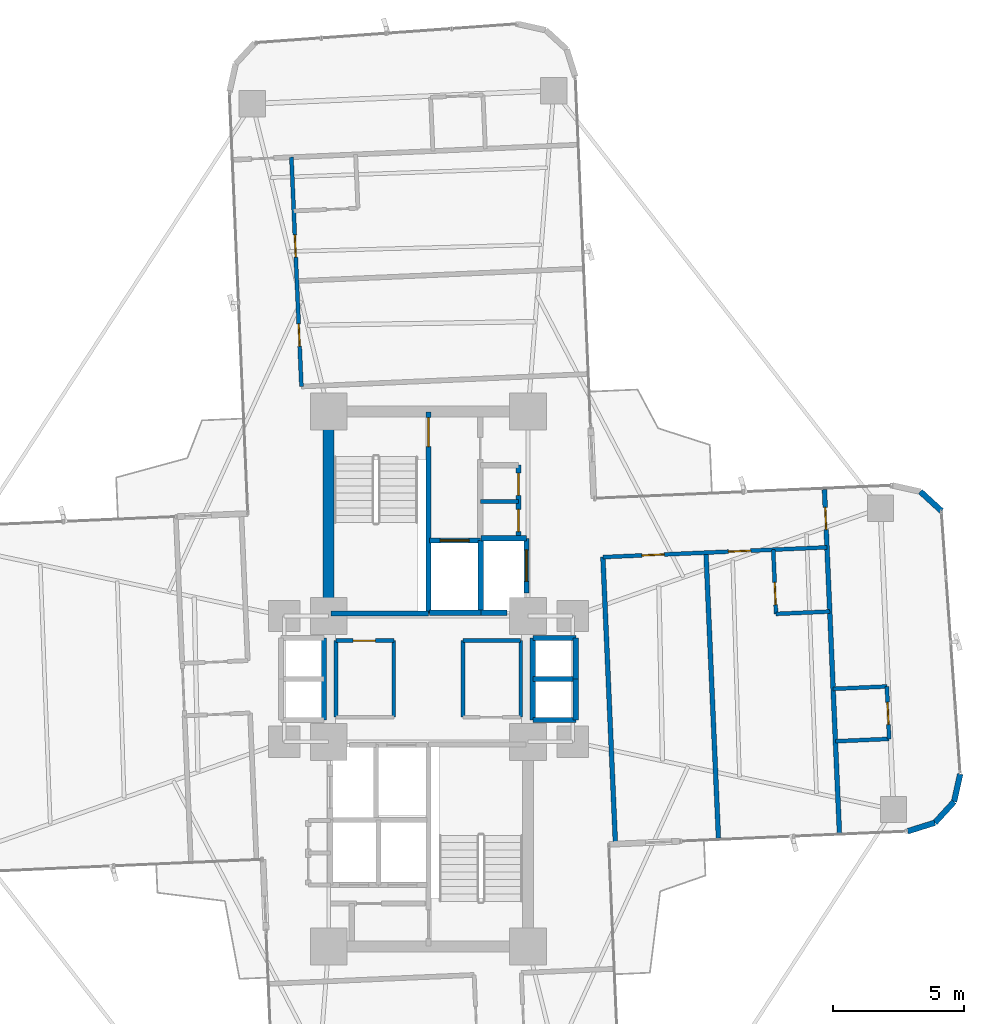
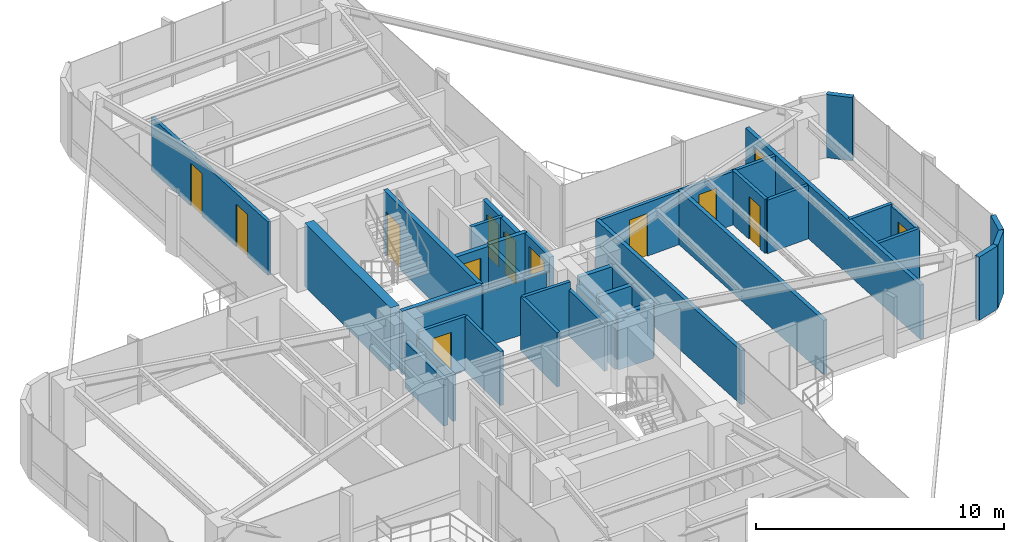
# One storey, part 24 of 26: 38 walls, 13 doors, 13 openings.
"""IFC4 building model written with IfcOpenShell, lengths in metres."""

from ifc_helpers import new_model, si_unit, direction, frame, frame_2d, origin, origin_2d, place, context, subcontext, project, spatial, rectangle, extrude, source, transform, mapped, material, layer, layer_set, type_object, element, fill, save


model = new_model("IFC4")

# Units and contexts
model_context = context("Model", 3, precision=1e-05, world=origin(), true_north=direction((0.0, 1.0)))
body_context = subcontext(model_context, "Body", "Model", "MODEL_VIEW")
ifc_project = project(units=[si_unit("LENGTHUNIT", "METRE"), si_unit("AREAUNIT", "SQUARE_METRE"), si_unit("VOLUMEUNIT", "CUBIC_METRE"), si_unit("PLANEANGLEUNIT", "RADIAN"), si_unit("MASSUNIT", "GRAM", prefix="KILO")], contexts=[model_context])

# Site, building, storey
site_placement = place(None, origin())
site = spatial("IfcSite", under=ifc_project, at=site_placement, CompositionType="ELEMENT")
building_placement = place(site_placement, origin())
building = spatial("IfcBuilding", under=site, at=building_placement, Name="Sahyath Konkavel Grand Hotel", CompositionType="ELEMENT")
storey_placement = place(building_placement, frame((0.0, 0.0, 93.550048828125)))
storey = spatial("IfcBuildingStorey", under=building, at=storey_placement, Name="L25", CompositionType="ELEMENT", Elevation=93.550048828125)

# Walls
ifc_material_1 = material(Name="Concrete C50/60", Category="concrete")
ifc_layer_1 = layer(ifc_material_1, 0.419921875)
ifc_layer_set_1 = layer_set([ifc_layer_1], Name="Concrete C50/60")
wall_type_1 = type_object("IfcWallType", Name="CWALL-420", PredefinedType="SHEAR", material=ifc_layer_set_1)
wall_1_placement = place(storey_placement, frame((-3.800048828125, 2.85009765625, 0.0), z_axis=(0.0, 0.0, 1.0), x_axis=(0.0, 1.0, 0.0)))
element("IfcWall", 1, at=wall_1_placement, inside=storey, type_object=wall_type_1, Name="L25 North Core Shear Wall W", PredefinedType="SHEAR", context=body_context, shape_type="SweptSolid", body=[
    extrude(rectangle(XDim=6.89990234375, YDim=0.419921875, at=frame_2d((3.449951171875, 0.0))), origin(), (0.0, 0.0, 1.0), 3.10986328125),
])
ifc_material_2 = material(Name="Warm Buff Sandstone Insulated Concrete C40/50", Category="masonry")
ifc_layer_2 = layer(ifc_material_2, 0.219970703125)
ifc_layer_set_2 = layer_set([ifc_layer_2], Name="Warm Buff Sandstone Insulated Concrete C40/50")
wall_type_2 = type_object("IfcWallType", Name="WLL-BALC-THRESH", PredefinedType="STANDARD", material=ifc_layer_set_2)
for number, where, z_axis, x_axis, name in (
    (2, (18.270751953125, -5.80859375, 0.0), (0.0, 0.0, 1.0), (0.953721713582, 0.30069069331, 0.0), "L25 Rounded Corner Sandstone Pier 1"),
    (3, (19.3076171875, -5.481689453125, 0.0), (0.0, 0.0, 1.0), (0.675551721847, 0.737312600672, 0.0), "L25 Rounded Corner Sandstone Pier 2"),
):
    element("IfcWall", number, at=place(storey_placement, frame(where, z_axis=z_axis, x_axis=x_axis)), inside=storey, type_object=wall_type_2, Name=name, PredefinedType="STANDARD", context=body_context, shape_type="SweptSolid", body=[
        extrude(rectangle(XDim=1.087158203125, YDim=0.219970703125, at=frame_2d((0.54345703125, 0.0))), origin(), (0.0, 0.0, 1.0), 3.10986328125),
    ])
for number, where, z_axis, x_axis, name in (
    (4, (20.0419921875, -4.68017578125, 0.0), (0.0, 0.0, 1.0), (0.216288323511, 0.976329535102, 0.0), "L25 Rounded Corner Sandstone Pier 3"),
    (5, (19.5576171875, 6.4091796875, 0.0), (0.0, 0.0, 1.0), (-0.737210081318, 0.675663596772, 0.0), "L25 Rounded Corner Sandstone Pier 5"),
):
    element("IfcWall", number, at=place(storey_placement, frame(where, z_axis=z_axis, x_axis=x_axis)), inside=storey, type_object=wall_type_2, Name=name, PredefinedType="STANDARD", context=body_context, shape_type="SweptSolid", body=[
        extrude(rectangle(XDim=1.0869140625, YDim=0.219970703125, at=frame_2d((0.54345703125, 0.0))), origin(), (0.0, 0.0, 1.0), 3.10986328125),
    ])

# Wall, opening, door
ifc_material_3 = material(Name="Concrete C40/50", Category="concrete")
ifc_layer_3 = layer(ifc_material_3, 0.199951171875)
ifc_layer_set_3 = layer_set([ifc_layer_3], Name="Concrete C40/50")
wall_type_3 = type_object("IfcWallType", Name="WLL-CORE-200", PredefinedType="SOLIDWALL", material=ifc_layer_set_3)
wall_2_placement = place(storey_placement, frame((0.0, 2.5, 0.0), z_axis=(0.0, 0.0, 1.0), x_axis=(0.0, 1.0, 0.0)))
wall_2 = element("IfcWall", 6, at=wall_2_placement, inside=storey, type_object=wall_type_3, Name="L25 Stair ST-1 Shaft Wall E", PredefinedType="SOLIDWALL", context=body_context, shape_type="SweptSolid", body=[
    extrude(rectangle(XDim=7.679931640625, YDim=0.199951171875, at=frame_2d((3.83984375, 0.0))), origin(), (0.0, 0.0, 1.0), 3.10986328125),
])
opening_1_placement = place(wall_2_placement, frame((6.360107421875, 0.0, 0.0)))
opening_1 = element("IfcOpeningElement", 7, at=opening_1_placement, cuts=wall_2, Name="Opening D-F12B", PredefinedType="OPENING", context=body_context, shape_type="SweptSolid", body=[
    extrude(rectangle(XDim=1.10009765625, YDim=2.14990234375, at=frame_2d((0.550048828125, 1.074951171875))), frame((0.0, 0.10986328125, 0.0), z_axis=(0.0, -1.0, 0.0), x_axis=(1.0, 0.0, 0.0)), (0.0, 0.0, 1.0), 0.219970703125),
])
ifc_material_4 = material(Name="Steel E350 Smokeproof Fire Door", Category="steel")
door_type_1 = type_object("IfcDoorType", Name="DR-FD120-1100", OperationType="NOTDEFINED", PredefinedType="DOOR", material=ifc_material_4)
shared_shape_1 = source(origin(), body_context, "Body", "SweptSolid", [
    extrude(rectangle(XDim=1.10009765625, YDim=0.050048828125, at=origin_2d()), origin(), (0.0, 0.0, 1.0), 2.14990234375),
])
door_1_placement = place(opening_1_placement, frame((0.550048828125, 0.0, 0.0)))
door_1 = element("IfcDoor", 8, at=door_1_placement, inside=storey, type_object=door_type_1, Name="L25 Stair ST-1 Fire Door", OperationType="SINGLE_SWING_LEFT", OverallHeight=2.14990234375, OverallWidth=1.10009765625, PredefinedType="DOOR", context=body_context, shape_type="MappedRepresentation", body=[
    mapped(shared_shape_1, transform((0.0, 0.0, 0.0), scale=1.0)),
])
fill(opening_1, door_1)

# Walls
wall_3_placement = place(storey_placement, frame((-3.719970703125, 2.5, 0.0), z_axis=(0.0, 0.0, 1.0), x_axis=(1.0, 0.0, 0.0)))
element("IfcWall", 9, at=wall_3_placement, inside=storey, type_object=wall_type_3, Name="L25 Stair ST-1 Shaft Wall S", PredefinedType="SOLIDWALL", context=body_context, shape_type="SweptSolid", body=[
    extrude(rectangle(XDim=3.719970703125, YDim=0.199951171875, at=frame_2d((1.85986328125, 0.0))), origin(), (0.0, 0.0, 1.0), 3.10986328125),
])
wall_4_placement = place(storey_placement, frame((2.0, 2.5, 0.0), z_axis=(0.0, 0.0, 1.0), x_axis=(0.0, 1.0, 0.0)))
element("IfcWall", 10, at=wall_4_placement, inside=storey, type_object=wall_type_3, Name="L25 Partition SH-FFL1-E", PredefinedType="SOLIDWALL", context=body_context, shape_type="SweptSolid", body=[
    extrude(rectangle(XDim=2.780029296875, YDim=0.199951171875, at=frame_2d((1.39013671875, 0.0))), origin(), (0.0, 0.0, 1.0), 2.659912109375),
])
wall_5_placement = place(storey_placement, frame((0.050048828125, 2.52001953125, 0.0), z_axis=(0.0, 0.0, 1.0), x_axis=(1.0, 0.0, 0.0)))
element("IfcWall", 11, at=wall_5_placement, inside=storey, type_object=wall_type_3, Name="L25 Partition SH-FFL1-S", PredefinedType="SOLIDWALL", context=body_context, shape_type="SweptSolid", body=[
    extrude(rectangle(XDim=1.949951171875, YDim=0.199951171875, at=frame_2d((0.97509765625, 0.0))), origin(), (0.0, 0.0, 1.0), 2.659912109375),
])

# Wall, opening, door
wall_6_placement = place(storey_placement, frame((0.050048828125, 5.280029296875, 0.0), z_axis=(0.0, 0.0, 1.0), x_axis=(1.0, 0.0, 0.0)))
wall_6 = element("IfcWall", 12, at=wall_6_placement, inside=storey, type_object=wall_type_3, Name="L25 Partition SH-FFL1-N", PredefinedType="SOLIDWALL", context=body_context, shape_type="SweptSolid", body=[
    extrude(rectangle(XDim=1.929931640625, YDim=0.199951171875, at=frame_2d((0.96484375, 0.0))), origin(), (0.0, 0.0, 1.0), 2.659912109375),
])
opening_2_placement = place(wall_6_placement, frame((0.39990234375, 0.0, 0.0)))
opening_2 = element("IfcOpeningElement", 13, at=opening_2_placement, cuts=wall_6, Name="Opening LD-11", PredefinedType="OPENING", context=body_context, shape_type="SweptSolid", body=[
    extrude(rectangle(XDim=1.10009765625, YDim=2.199951171875, at=frame_2d((0.550048828125, 1.10009765625))), frame((0.0, 0.10986328125, 0.0), z_axis=(0.0, -1.0, 0.0), x_axis=(1.0, 0.0, 0.0)), (0.0, 0.0, 1.0), 0.219970703125),
])
ifc_material_5 = material(Name="Bronze Lift Landing Door 1100")
door_type_2 = type_object("IfcDoorType", Name="DR-LIFT-1100", OperationType="DOUBLE_DOOR_SLIDING", PredefinedType="DOOR", material=ifc_material_5)
shared_shape_2 = source(origin(), body_context, "Body", "SweptSolid", [
    extrude(rectangle(XDim=1.10009765625, YDim=0.050048828125, at=origin_2d()), origin(), (0.0, 0.0, 1.0), 2.199951171875),
])
door_2_placement = place(opening_2_placement, frame((0.550048828125, 0.0, 0.0)))
door_2 = element("IfcDoor", 14, at=door_2_placement, inside=storey, type_object=door_type_2, Name="L25 Lift FFL-1 Landing Door", OperationType="DOUBLE_DOOR_SLIDING", OverallHeight=2.199951171875, OverallWidth=1.10009765625, PredefinedType="DOOR", context=body_context, shape_type="MappedRepresentation", body=[
    mapped(shared_shape_2, transform((0.0, 0.0, 0.0), scale=1.0)),
])
fill(opening_2, door_2)

# Walls
wall_7_placement = place(storey_placement, frame((2.0, 2.52001953125, 0.0), z_axis=(0.0, 0.0, 1.0), x_axis=(1.0, 0.0, 0.0)))
element("IfcWall", 15, at=wall_7_placement, inside=storey, type_object=wall_type_3, Name="L25 Partition SH-SVL1-S", PredefinedType="SOLIDWALL", context=body_context, shape_type="SweptSolid", body=[
    extrude(rectangle(XDim=1.0, YDim=0.199951171875, at=frame_2d((0.5, 0.0))), origin(), (0.0, 0.0, 1.0), 2.659912109375),
])
wall_8_placement = place(storey_placement, frame((2.0, 5.360107421875, 0.0), z_axis=(0.0, 0.0, 1.0), x_axis=(1.0, 0.0, 0.0)))
element("IfcWall", 16, at=wall_8_placement, inside=storey, type_object=wall_type_3, Name="L25 Partition SH-SVL1-N", PredefinedType="SOLIDWALL", context=body_context, shape_type="SweptSolid", body=[
    extrude(rectangle(XDim=1.739990234375, YDim=0.199951171875, at=frame_2d((0.8701171875, 0.0))), origin(), (0.0, 0.0, 1.0), 2.659912109375),
])

# Wall, opening, door
wall_9_placement = place(storey_placement, frame((3.739990234375, 3.280029296875, 0.0), z_axis=(0.0, 0.0, 1.0), x_axis=(0.0, 1.0, 0.0)))
wall_9 = element("IfcWall", 17, at=wall_9_placement, inside=storey, type_object=wall_type_3, Name="L25 Partition SH-SVL1-E", PredefinedType="SOLIDWALL", context=body_context, shape_type="SweptSolid", body=[
    extrude(rectangle(XDim=2.080078125, YDim=0.199951171875, at=frame_2d((1.0400390625, 0.0))), origin(), (0.0, 0.0, 1.0), 2.659912109375),
])
opening_3_placement = place(wall_9_placement, frame((0.43994140625, 0.0, 0.0)))
opening_3 = element("IfcOpeningElement", 18, at=opening_3_placement, cuts=wall_9, Name="Opening LD-12", PredefinedType="OPENING", context=body_context, shape_type="SweptSolid", body=[
    extrude(rectangle(XDim=1.199951171875, YDim=2.199951171875, at=frame_2d((0.60009765625, 1.10009765625))), frame((0.0, 0.10986328125, 0.0), z_axis=(0.0, -1.0, 0.0), x_axis=(1.0, 0.0, 0.0)), (0.0, 0.0, 1.0), 0.219970703125),
])
ifc_material_6 = material(Name="Stainless Steel Lift Landing Door 1200", Category="steel")
door_type_3 = type_object("IfcDoorType", Name="DR-LIFT-1200", OperationType="DOUBLE_DOOR_SLIDING", PredefinedType="DOOR", material=ifc_material_6)
shared_shape_3 = source(origin(), body_context, "Body", "SweptSolid", [
    extrude(rectangle(XDim=1.199951171875, YDim=0.050048828125, at=origin_2d()), origin(), (0.0, 0.0, 1.0), 2.199951171875),
])
door_3_placement = place(opening_3_placement, frame((0.60009765625, 0.0, 0.0)))
door_3 = element("IfcDoor", 19, at=door_3_placement, inside=storey, type_object=door_type_3, Name="L25 Service Lift SVL-1 Landing Door", OperationType="DOUBLE_DOOR_SLIDING", OverallHeight=2.199951171875, OverallWidth=1.199951171875, PredefinedType="DOOR", context=body_context, shape_type="MappedRepresentation", body=[
    mapped(shared_shape_3, transform((0.0, 0.0, 0.0), scale=1.0)),
])
fill(opening_3, door_3)

# Walls
wall_10_placement = place(storey_placement, frame((3.97998046875, -1.56005859375, 0.0), z_axis=(0.0, 0.0, 1.0), x_axis=(0.0, 1.0, 0.0)))
element("IfcWall", 20, at=wall_10_placement, inside=storey, type_object=wall_type_3, Name="L25 Partition SH-PL56-W", PredefinedType="SOLIDWALL", context=body_context, shape_type="SweptSolid", body=[
    extrude(rectangle(XDim=3.1201171875, YDim=0.199951171875, at=frame_2d((1.56005859375, 0.0))), origin(), (0.0, 0.0, 1.0), 2.280029296875),
])
for number, where, z_axis, x_axis, name in (
    (21, (3.97998046875, 1.56005859375, 0.0), (0.0, 0.0, 1.0), (1.0, 0.0, 0.0), "L25 Partition SH-PL56-N"),
    (22, (3.97998046875, -1.56005859375, 0.0), (0.0, 0.0, 1.0), (1.0, 0.0, 0.0), "L25 Partition SH-PL56-S"),
    (23, (3.97998046875, 0.0, 0.0), (0.0, 0.0, 1.0), (1.0, 0.0, 0.0), "L25 Partition SH-PL56-M"),
):
    element("IfcWall", number, at=place(storey_placement, frame(where, z_axis=z_axis, x_axis=x_axis)), inside=storey, type_object=wall_type_3, Name=name, PredefinedType="SOLIDWALL", context=body_context, shape_type="SweptSolid", body=[
        extrude(rectangle(XDim=1.64013671875, YDim=0.199951171875, at=frame_2d((0.820068359375, 0.0))), origin(), (0.0, 0.0, 1.0), 2.659912109375),
    ])
for number, where, z_axis, x_axis, name in (
    (24, (5.6201171875, 0.0, 0.0), (0.0, 0.0, 1.0), (0.0, 1.0, 0.0), "L25 Partition SH-PL5-E"),
    (25, (5.6201171875, -1.56005859375, 0.0), (0.0, 0.0, 1.0), (0.0, 1.0, 0.0), "L25 Partition SH-PL6-E"),
):
    element("IfcWall", number, at=place(storey_placement, frame(where, z_axis=z_axis, x_axis=x_axis)), inside=storey, type_object=wall_type_3, Name=name, PredefinedType="SOLIDWALL", context=body_context, shape_type="SweptSolid", body=[
        extrude(rectangle(XDim=1.56005859375, YDim=0.199951171875, at=frame_2d((0.780029296875, 0.0))), origin(), (0.0, 0.0, 1.0), 2.659912109375),
    ])
wall_11_placement = place(storey_placement, frame((-3.97998046875, -1.56005859375, 0.0), z_axis=(0.0, 0.0, 1.0), x_axis=(0.0, 1.0, 0.0)))
element("IfcWall", 26, at=wall_11_placement, inside=storey, type_object=wall_type_3, Name="L25 Partition SH-SL12-E", PredefinedType="SOLIDWALL", context=body_context, shape_type="SweptSolid", body=[
    extrude(rectangle(XDim=3.1201171875, YDim=0.199951171875, at=frame_2d((1.56005859375, 0.0))), origin(), (0.0, 0.0, 1.0), 2.280029296875),
])

# Wall, openings, doors
wall_12_placement = place(storey_placement, frame((3.43994140625, 5.3798828125, 0.0), z_axis=(0.0, 0.0, 1.0), x_axis=(0.0, 1.0, 0.0)))
wall_12 = element("IfcWall", 27, at=wall_12_placement, inside=storey, type_object=wall_type_3, Name="L25 Reclaimed North Core Wall E", PredefinedType="SOLIDWALL", context=body_context, shape_type="SweptSolid", body=[
    extrude(rectangle(XDim=2.77001953125, YDim=0.199951171875, at=frame_2d((1.385009765625, 0.0))), origin(), (0.0, 0.0, 1.0), 2.659912109375),
])
opening_4_placement = place(wall_12_placement, frame((0.239990234375, 0.0, 0.0)))
opening_4 = element("IfcOpeningElement", 28, at=opening_4_placement, cuts=wall_12, Name="Opening D-F06D", PredefinedType="OPENING", context=body_context, shape_type="SweptSolid", body=[
    extrude(rectangle(XDim=0.85009765625, YDim=2.10009765625, at=frame_2d((0.425048828125, 1.050048828125))), frame((0.0, 0.10986328125, 0.0), z_axis=(0.0, -1.0, 0.0), x_axis=(1.0, 0.0, 0.0)), (0.0, 0.0, 1.0), 0.219970703125),
])
opening_5_placement = place(wall_12_placement, frame((1.6201171875, 0.0, 0.0)))
opening_5 = element("IfcOpeningElement", 29, at=opening_5_placement, cuts=wall_12, Name="Opening D-F06D", PredefinedType="OPENING", context=body_context, shape_type="SweptSolid", body=[
    extrude(rectangle(XDim=0.85009765625, YDim=2.10009765625, at=frame_2d((0.425048828125, 1.050048828125))), frame((0.0, 0.10986328125, 0.0), z_axis=(0.0, -1.0, 0.0), x_axis=(1.0, 0.0, 0.0)), (0.0, 0.0, 1.0), 0.219970703125),
])
ifc_material_7 = material(Name="Fire-Rated Shaft Access Door")
door_type_4 = type_object("IfcDoorType", Name="DR-FD60-850", OperationType="NOTDEFINED", PredefinedType="DOOR", material=ifc_material_7)
shared_shape_4 = source(origin(), body_context, "Body", "SweptSolid", [
    extrude(rectangle(XDim=0.85009765625, YDim=0.050048828125, at=origin_2d()), origin(), (0.0, 0.0, 1.0), 2.10009765625),
])
door_4_placement = place(opening_4_placement, frame((0.425048828125, 0.0, 0.0)))
door_4 = element("IfcDoor", 30, at=door_4_placement, inside=storey, type_object=door_type_4, Name="L25 Door NC-REC1-D", OperationType="SINGLE_SWING_RIGHT", OverallHeight=2.10009765625, OverallWidth=0.85009765625, PredefinedType="DOOR", context=body_context, shape_type="MappedRepresentation", body=[
    mapped(shared_shape_4, transform((0.0, 0.0, 0.0), scale=1.0)),
])
fill(opening_4, door_4)
door_5_placement = place(opening_5_placement, frame((0.425048828125, 0.0, 0.0)))
door_5 = element("IfcDoor", 31, at=door_5_placement, inside=storey, type_object=door_type_4, Name="L25 Door NC-REC2-D", OperationType="SINGLE_SWING_LEFT", OverallHeight=2.10009765625, OverallWidth=0.85009765625, PredefinedType="DOOR", context=body_context, shape_type="MappedRepresentation", body=[
    mapped(shared_shape_4, transform((0.0, 0.0, 0.0), scale=1.0)),
])
fill(opening_5, door_5)

# Walls
ifc_material_8 = material(Name="Twin-Stud Acoustic Gypsum Plasterboard Partition")
ifc_layer_4 = layer(ifc_material_8, 0.179931640625)
ifc_layer_set_4 = layer_set([ifc_layer_4], Name="Twin-Stud Acoustic Gypsum Plasterboard Partition")
wall_type_4 = type_object("IfcWallType", Name="WLL-DEMISE-180", PredefinedType="PARTITIONING", material=ifc_layer_set_4)
wall_13_placement = place(storey_placement, frame((7.129150390625, -6.2451171875, 0.0), z_axis=(0.0, 0.0, 1.0), x_axis=(-0.043608291235, 0.999048705988, 0.0)))
element("IfcWall", 32, at=wall_13_placement, inside=storey, type_object=wall_type_4, Name="L25 Partition E-G5I", PredefinedType="PARTITIONING", context=body_context, shape_type="SweptSolid", body=[
    extrude(rectangle(XDim=10.900146484375, YDim=0.179931640625, at=frame_2d((5.4501953125, 0.0))), origin(), (0.0, 0.0, 1.0), 2.659912109375),
])
wall_14_placement = place(storey_placement, frame((10.5830078125, 4.816162109375, 0.0), z_axis=(0.0, 0.0, 1.0), x_axis=(0.043609267053, -0.999048663393, 0.0)))
element("IfcWall", 33, at=wall_14_placement, inside=storey, type_object=wall_type_4, Name="L25 Partition E-ED1-DEM", PredefinedType="PARTITIONING", context=body_context, shape_type="SweptSolid", body=[
    extrude(rectangle(XDim=10.89990234375, YDim=0.179931640625, at=frame_2d((5.449951171875, 0.0))), origin(), (0.0, 0.0, 1.0), 2.659912109375),
])

# Wall, opening, door
wall_15_placement = place(storey_placement, frame((15.6708984375, -5.8720703125, 0.0), z_axis=(0.0, 0.0, 1.0), x_axis=(-0.043609488494, 0.999048653727, 0.0)))
wall_15 = element("IfcWall", 34, at=wall_15_placement, inside=storey, type_object=wall_type_4, Name="L25 Partition E-ETIP-END", PredefinedType="PARTITIONING", context=body_context, shape_type="SweptSolid", body=[
    extrude(rectangle(XDim=13.10009765625, YDim=0.179931640625, at=frame_2d((6.550048828125, 0.0))), origin(), (0.0, 0.0, 1.0), 2.659912109375),
])
opening_6_placement = place(wall_15_placement, frame((11.574951171875, 0.0, 0.0)))
opening_6 = element("IfcOpeningElement", 35, at=opening_6_placement, cuts=wall_15, Name="Opening D-F06D", PredefinedType="OPENING", context=body_context, shape_type="SweptSolid", body=[
    extrude(rectangle(XDim=0.85009765625, YDim=2.10009765625, at=frame_2d((0.425048828125, 1.050048828125))), frame((0.0, 0.10009765625, 0.0), z_axis=(0.0, -1.0, 0.0), x_axis=(1.0, 0.0, 0.0)), (0.0, 0.0, 1.0), 0.199951171875),
])
door_6_placement = place(opening_6_placement, frame((0.425048828125, 0.0, 0.0)))
door_6 = element("IfcDoor", 36, at=door_6_placement, inside=storey, type_object=door_type_4, Name="L25 Door E-ETIP-ED", OperationType="SINGLE_SWING_RIGHT", OverallHeight=2.10009765625, OverallWidth=0.85009765625, PredefinedType="DOOR", context=body_context, shape_type="MappedRepresentation", body=[
    mapped(shared_shape_4, transform((0.0, 0.0, 0.0), scale=1.0)),
])
fill(opening_6, door_6)

# Walls
ifc_material_9 = material(Name="Fire-Rated Gypsum Plasterboard Partition")
ifc_layer_5 = layer(ifc_material_9, 0.14990234375)
ifc_layer_set_5 = layer_set([ifc_layer_5], Name="Fire-Rated Gypsum Plasterboard Partition")
wall_type_5 = type_object("IfcWallType", Name="WLL-PART-150", PredefinedType="PARTITIONING", material=ifc_layer_set_5)
wall_16_placement = place(storey_placement, frame((1.97998046875, 6.77001953125, 0.0), z_axis=(0.0, 0.0, 1.0), x_axis=(1.0, 0.0, 0.0)))
element("IfcWall", 37, at=wall_16_placement, inside=storey, type_object=wall_type_5, Name="L25 Partition NC-REC-M1", PredefinedType="PARTITIONING", context=body_context, shape_type="SweptSolid", body=[
    extrude(rectangle(XDim=1.4599609375, YDim=0.14990234375, at=frame_2d((0.72998046875, 0.0))), origin(), (0.0, 0.0, 1.0), 2.659912109375),
])
wall_17_placement = place(storey_placement, frame((-1.320068359375, -1.4599609375, 0.0), z_axis=(0.0, 0.0, 1.0), x_axis=(0.0, 1.0, 0.0)))
element("IfcWall", 38, at=wall_17_placement, inside=storey, type_object=wall_type_5, Name="L25 Partition CC-1WI", PredefinedType="PARTITIONING", context=body_context, shape_type="SweptSolid", body=[
    extrude(rectangle(XDim=2.919921875, YDim=0.14990234375, at=frame_2d((1.4599609375, 0.0))), origin(), (0.0, 0.0, 1.0), 2.659912109375),
])
wall_18_placement = place(storey_placement, frame((-3.52001953125, -1.4599609375, 0.0), z_axis=(0.0, 0.0, 1.0), x_axis=(0.0, 1.0, 0.0)))
element("IfcWall", 39, at=wall_18_placement, inside=storey, type_object=wall_type_5, Name="L25 Partition CC-1WO", PredefinedType="PARTITIONING", context=body_context, shape_type="SweptSolid", body=[
    extrude(rectangle(XDim=2.919921875, YDim=0.14990234375, at=frame_2d((1.4599609375, 0.0))), origin(), (0.0, 0.0, 1.0), 2.280029296875),
])

# Wall, opening, door
wall_19_placement = place(storey_placement, frame((-3.52001953125, 1.4599609375, 0.0), z_axis=(0.0, 0.0, 1.0), x_axis=(1.0, 0.0, 0.0)))
wall_19 = element("IfcWall", 40, at=wall_19_placement, inside=storey, type_object=wall_type_5, Name="L25 Partition CC-1WN", PredefinedType="PARTITIONING", context=body_context, shape_type="SweptSolid", body=[
    extrude(rectangle(XDim=2.199951171875, YDim=0.14990234375, at=frame_2d((1.10009765625, 0.0))), origin(), (0.0, 0.0, 1.0), 2.659912109375),
])
opening_7_placement = place(wall_19_placement, frame((0.64990234375, 0.0, 0.0)))
opening_7 = element("IfcOpeningElement", 41, at=opening_7_placement, cuts=wall_19, Name="Opening D-F06D", PredefinedType="OPENING", context=body_context, shape_type="SweptSolid", body=[
    extrude(rectangle(XDim=0.85009765625, YDim=2.10009765625, at=frame_2d((0.425048828125, 1.050048828125))), frame((0.0, 0.0849609375, 0.0), z_axis=(0.0, -1.0, 0.0), x_axis=(1.0, 0.0, 0.0)), (0.0, 0.0, 1.0), 0.169921875),
])
door_7_placement = place(opening_7_placement, frame((0.425048828125, 0.0, 0.0)))
door_7 = element("IfcDoor", 42, at=door_7_placement, inside=storey, type_object=door_type_4, Name="L25 Door CC-D1W", OperationType="SINGLE_SWING_RIGHT", OverallHeight=2.10009765625, OverallWidth=0.85009765625, PredefinedType="DOOR", context=body_context, shape_type="MappedRepresentation", body=[
    mapped(shared_shape_4, transform((0.0, 0.0, 0.0), scale=1.0)),
])
fill(opening_7, door_7)

# Walls
wall_20_placement = place(storey_placement, frame((1.320068359375, -1.4599609375, 0.0), z_axis=(0.0, 0.0, 1.0), x_axis=(0.0, 1.0, 0.0)))
element("IfcWall", 43, at=wall_20_placement, inside=storey, type_object=wall_type_5, Name="L25 Partition CC-1EI", PredefinedType="PARTITIONING", context=body_context, shape_type="SweptSolid", body=[
    extrude(rectangle(XDim=2.919921875, YDim=0.14990234375, at=frame_2d((1.4599609375, 0.0))), origin(), (0.0, 0.0, 1.0), 2.659912109375),
])
wall_21_placement = place(storey_placement, frame((3.52001953125, -1.4599609375, 0.0), z_axis=(0.0, 0.0, 1.0), x_axis=(0.0, 1.0, 0.0)))
element("IfcWall", 44, at=wall_21_placement, inside=storey, type_object=wall_type_5, Name="L25 Partition CC-1EO", PredefinedType="PARTITIONING", context=body_context, shape_type="SweptSolid", body=[
    extrude(rectangle(XDim=2.919921875, YDim=0.14990234375, at=frame_2d((1.4599609375, 0.0))), origin(), (0.0, 0.0, 1.0), 2.280029296875),
])
wall_22_placement = place(storey_placement, frame((1.320068359375, 1.4599609375, 0.0), z_axis=(0.0, 0.0, 1.0), x_axis=(1.0, 0.0, 0.0)))
element("IfcWall", 45, at=wall_22_placement, inside=storey, type_object=wall_type_5, Name="L25 Partition CC-1EN", PredefinedType="PARTITIONING", context=body_context, shape_type="SweptSolid", body=[
    extrude(rectangle(XDim=2.199951171875, YDim=0.14990234375, at=frame_2d((1.10009765625, 0.0))), origin(), (0.0, 0.0, 1.0), 2.659912109375),
])

# Wall, openings, doors
wall_23_placement = place(storey_placement, frame((6.65380859375, 4.644775390625, 0.0), z_axis=(0.0, 0.0, 1.0), x_axis=(0.999048925025, 0.043603272887, 0.0)))
wall_23 = element("IfcWall", 46, at=wall_23_placement, inside=storey, type_object=wall_type_5, Name="L25 Partition E-G5W", PredefinedType="PARTITIONING", context=body_context, shape_type="SweptSolid", body=[
    extrude(rectangle(XDim=8.5498046875, YDim=0.14990234375, at=frame_2d((4.27490234375, 0.0))), origin(), (0.0, 0.0, 1.0), 2.6298828125),
])
opening_8_placement = place(wall_23_placement, frame((1.490966796875, 0.0, 0.0)))
opening_8 = element("IfcOpeningElement", 47, at=opening_8_placement, cuts=wall_23, Name="Opening D-F06D", PredefinedType="OPENING", context=body_context, shape_type="SweptSolid", body=[
    extrude(rectangle(XDim=0.85009765625, YDim=2.10009765625, at=frame_2d((0.425048828125, 1.050048828125))), frame((0.0, 0.0849609375, 0.0), z_axis=(0.0, -1.0, 0.0), x_axis=(1.0, 0.0, 0.0)), (0.0, 0.0, 1.0), 0.169921875),
])
opening_9_placement = place(wall_23_placement, frame((4.7919921875, 0.0, 0.0)))
opening_9 = element("IfcOpeningElement", 48, at=opening_9_placement, cuts=wall_23, Name="Opening D-F06D", PredefinedType="OPENING", context=body_context, shape_type="SweptSolid", body=[
    extrude(rectangle(XDim=0.85009765625, YDim=2.10009765625, at=frame_2d((0.425048828125, 1.050048828125))), frame((0.0, 0.0849609375, 0.0), z_axis=(0.0, -1.0, 0.0), x_axis=(1.0, 0.0, 0.0)), (0.0, 0.0, 1.0), 0.169921875),
])
door_8_placement = place(opening_8_placement, frame((0.425048828125, 0.0, 0.0)))
door_8 = element("IfcDoor", 49, at=door_8_placement, inside=storey, type_object=door_type_4, Name="L25 Door E-ED1-D", OperationType="SINGLE_SWING_RIGHT", OverallHeight=2.10009765625, OverallWidth=0.85009765625, PredefinedType="DOOR", context=body_context, shape_type="MappedRepresentation", body=[
    mapped(shared_shape_4, transform((0.0, 0.0, 0.0), scale=1.0)),
])
fill(opening_8, door_8)
door_9_placement = place(opening_9_placement, frame((0.425048828125, 0.0, 0.0)))
door_9 = element("IfcDoor", 50, at=door_9_placement, inside=storey, type_object=door_type_4, Name="L25 Door E-ED2-ED", OperationType="SINGLE_SWING_RIGHT", OverallHeight=2.10009765625, OverallWidth=0.85009765625, PredefinedType="DOOR", context=body_context, shape_type="MappedRepresentation", body=[
    mapped(shared_shape_4, transform((0.0, 0.0, 0.0), scale=1.0)),
])
fill(opening_9, door_9)

# Wall, opening, door
wall_24_placement = place(storey_placement, frame((13.1474609375, 4.92822265625, 0.0), z_axis=(0.0, 0.0, 1.0), x_axis=(0.043644787072, -0.999047112283, 0.0)))
wall_24 = element("IfcWall", 51, at=wall_24_placement, inside=storey, type_object=wall_type_5, Name="L25 Partition E-ED2-BS", PredefinedType="PARTITIONING", context=body_context, shape_type="SweptSolid", body=[
    extrude(rectangle(XDim=2.4501953125, YDim=0.14990234375, at=frame_2d((1.22509765625, 0.0))), origin(), (0.0, 0.0, 1.0), 2.659912109375),
])
opening_10_placement = place(wall_24_placement, frame((1.25, 0.0, 0.0)))
opening_10 = element("IfcOpeningElement", 52, at=opening_10_placement, cuts=wall_24, Name="Opening D-BT85", PredefinedType="OPENING", context=body_context, shape_type="SweptSolid", body=[
    extrude(rectangle(XDim=0.85009765625, YDim=2.10009765625, at=frame_2d((0.425048828125, 1.050048828125))), frame((0.0, 0.0849609375, 0.0), z_axis=(0.0, -1.0, 0.0), x_axis=(1.0, 0.0, 0.0)), (0.0, 0.0, 1.0), 0.169921875),
])
ifc_material_10 = material(Name="Moisture-Resistant Teak Bathroom Door")
door_type_5 = type_object("IfcDoorType", Name="DR-BATH-850", OperationType="NOTDEFINED", PredefinedType="DOOR", material=ifc_material_10)
door_10_placement = place(opening_10_placement, frame((0.425048828125, 0.0, 0.0)))
door_10 = element("IfcDoor", 53, at=door_10_placement, inside=storey, type_object=door_type_5, Name="L25 Door E-ED2-BD", OperationType="SINGLE_SWING_LEFT", OverallHeight=2.10009765625, OverallWidth=0.85009765625, PredefinedType="DOOR", context=body_context, shape_type="MappedRepresentation", body=[
    mapped(shared_shape_4, transform((0.0, 0.0, 0.0), scale=1.0)),
])
fill(opening_10, door_10)

# Walls
wall_25_placement = place(storey_placement, frame((13.25439453125, 2.48046875, 0.0), z_axis=(0.0, 0.0, 1.0), x_axis=(0.999049630844, 0.043587097972, 0.0)))
element("IfcWall", 54, at=wall_25_placement, inside=storey, type_object=wall_type_5, Name="L25 Partition E-ED2-BF", PredefinedType="PARTITIONING", context=body_context, shape_type="SweptSolid", body=[
    extrude(rectangle(XDim=2.050048828125, YDim=0.14990234375, at=frame_2d((1.02490234375, 0.0))), origin(), (0.0, 0.0, 1.0), 2.6298828125),
])
wall_26_placement = place(storey_placement, frame((15.43115234375, -0.377197265625, 0.0), z_axis=(0.0, 0.0, 1.0), x_axis=(0.999049630844, 0.043587097972, 0.0)))
element("IfcWall", 55, at=wall_26_placement, inside=storey, type_object=wall_type_5, Name="L25 Partition E-ETIP-BN", PredefinedType="PARTITIONING", context=body_context, shape_type="SweptSolid", body=[
    extrude(rectangle(XDim=2.050048828125, YDim=0.14990234375, at=frame_2d((1.02490234375, 0.0))), origin(), (0.0, 0.0, 1.0), 2.659912109375),
])
wall_27_placement = place(storey_placement, frame((15.518310546875, -2.37548828125, 0.0), z_axis=(0.0, 0.0, 1.0), x_axis=(0.999044437927, 0.043705961225, 0.0)))
element("IfcWall", 56, at=wall_27_placement, inside=storey, type_object=wall_type_5, Name="L25 Partition E-ETIP-BS", PredefinedType="PARTITIONING", context=body_context, shape_type="SweptSolid", body=[
    extrude(rectangle(XDim=2.050048828125, YDim=0.14990234375, at=frame_2d((1.02490234375, 0.0))), origin(), (0.0, 0.0, 1.0), 2.6298828125),
])

# Wall, opening, door
wall_28_placement = place(storey_placement, frame((17.56640625, -2.285888671875, 0.0), z_axis=(0.0, 0.0, 1.0), x_axis=(-0.043580257179, 0.999049929275, 0.0)))
wall_28 = element("IfcWall", 57, at=wall_28_placement, inside=storey, type_object=wall_type_5, Name="L25 Partition E-ETIP-BE", PredefinedType="PARTITIONING", context=body_context, shape_type="SweptSolid", body=[
    extrude(rectangle(XDim=2.0, YDim=0.14990234375, at=frame_2d((1.0, 0.0))), origin(), (0.0, 0.0, 1.0), 2.579833984375),
])
opening_11_placement = place(wall_28_placement, frame((0.550048828125, 0.0, 0.0)))
opening_11 = element("IfcOpeningElement", 58, at=opening_11_placement, cuts=wall_28, Name="Opening D-BT85", PredefinedType="OPENING", context=body_context, shape_type="SweptSolid", body=[
    extrude(rectangle(XDim=0.85009765625, YDim=2.10009765625, at=frame_2d((0.425048828125, 1.050048828125))), frame((0.0, 0.0849609375, 0.0), z_axis=(0.0, -1.0, 0.0), x_axis=(1.0, 0.0, 0.0)), (0.0, 0.0, 1.0), 0.169921875),
])
door_11_placement = place(opening_11_placement, frame((0.425048828125, 0.0, 0.0)))
door_11 = element("IfcDoor", 59, at=door_11_placement, inside=storey, type_object=door_type_5, Name="L25 Door E-ETIP-BD", OperationType="SINGLE_SWING_LEFT", OverallHeight=2.10009765625, OverallWidth=0.85009765625, PredefinedType="DOOR", context=body_context, shape_type="MappedRepresentation", body=[
    mapped(shared_shape_4, transform((0.0, 0.0, 0.0), scale=1.0)),
])
fill(opening_11, door_11)

# Wall, openings, doors
wall_29_placement = place(storey_placement, frame((-4.8408203125, 11.1494140625, 0.0), z_axis=(0.0, 0.0, 1.0), x_axis=(-0.043638220751, 0.999047399121, 0.0)))
wall_29 = element("IfcWall", 60, at=wall_29_placement, inside=storey, type_object=wall_type_5, Name="L25 Partition N-G5W", PredefinedType="PARTITIONING", context=body_context, shape_type="SweptSolid", body=[
    extrude(rectangle(XDim=8.75, YDim=0.14990234375, at=frame_2d((4.375, 0.0))), origin(), (0.0, 0.0, 1.0), 2.6298828125),
])
opening_12_placement = place(wall_29_placement, frame((1.5380859375, 0.0, 0.0)))
opening_12 = element("IfcOpeningElement", 61, at=opening_12_placement, cuts=wall_29, Name="Opening D-F06D", PredefinedType="OPENING", context=body_context, shape_type="SweptSolid", body=[
    extrude(rectangle(XDim=0.85009765625, YDim=2.10009765625, at=frame_2d((0.425048828125, 1.050048828125))), frame((0.0, 0.0849609375, 0.0), z_axis=(0.0, -1.0, 0.0), x_axis=(1.0, 0.0, 0.0)), (0.0, 0.0, 1.0), 0.169921875),
])
opening_13_placement = place(wall_29_placement, frame((4.93701171875, 0.0, 0.0)))
opening_13 = element("IfcOpeningElement", 62, at=opening_13_placement, cuts=wall_29, Name="Opening D-F06D", PredefinedType="OPENING", context=body_context, shape_type="SweptSolid", body=[
    extrude(rectangle(XDim=0.85009765625, YDim=2.10009765625, at=frame_2d((0.425048828125, 1.050048828125))), frame((0.0, 0.0849609375, 0.0), z_axis=(0.0, -1.0, 0.0), x_axis=(1.0, 0.0, 0.0)), (0.0, 0.0, 1.0), 0.169921875),
])
door_12_placement = place(opening_12_placement, frame((0.425048828125, 0.0, 0.0)))
door_12 = element("IfcDoor", 63, at=door_12_placement, inside=storey, type_object=door_type_4, Name="L25 Door N-ND1-D", OperationType="SINGLE_SWING_LEFT", OverallHeight=2.10009765625, OverallWidth=0.85009765625, PredefinedType="DOOR", context=body_context, shape_type="MappedRepresentation", body=[
    mapped(shared_shape_4, transform((0.0, 0.0, 0.0), scale=1.0)),
])
fill(opening_12, door_12)
door_13_placement = place(opening_13_placement, frame((0.425048828125, 0.0, 0.0)))
door_13 = element("IfcDoor", 64, at=door_13_placement, inside=storey, type_object=door_type_4, Name="L25 Door N-ND2-ED", OperationType="SINGLE_SWING_LEFT", OverallHeight=2.10009765625, OverallWidth=0.85009765625, PredefinedType="DOOR", context=body_context, shape_type="MappedRepresentation", body=[
    mapped(shared_shape_4, transform((0.0, 0.0, 0.0), scale=1.0)),
])
fill(opening_13, door_13)

save(model, "model.ifc")
